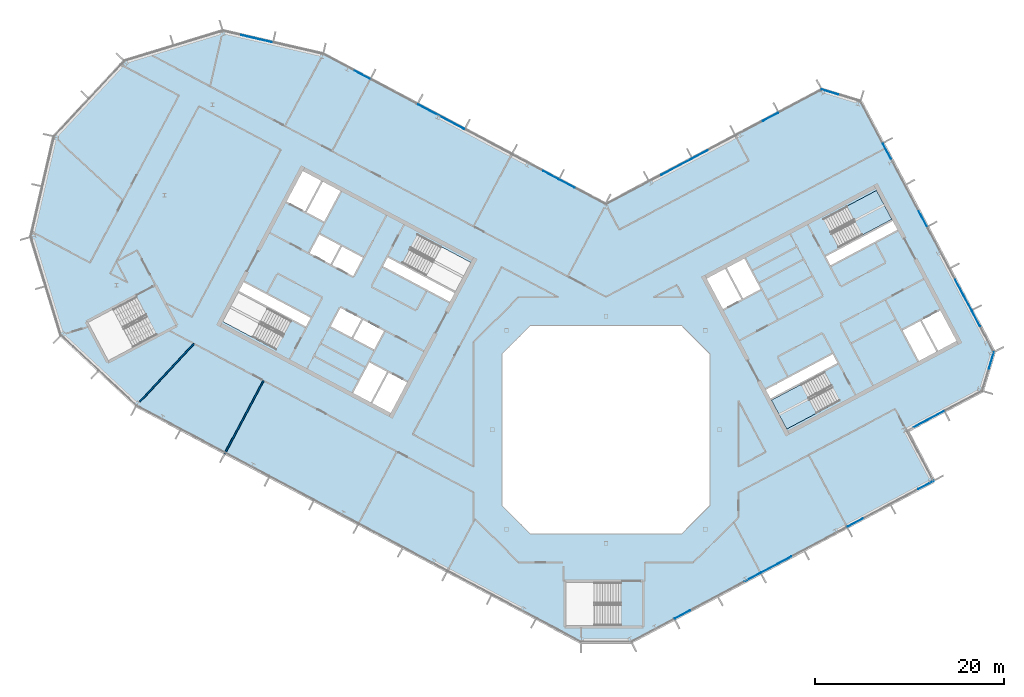
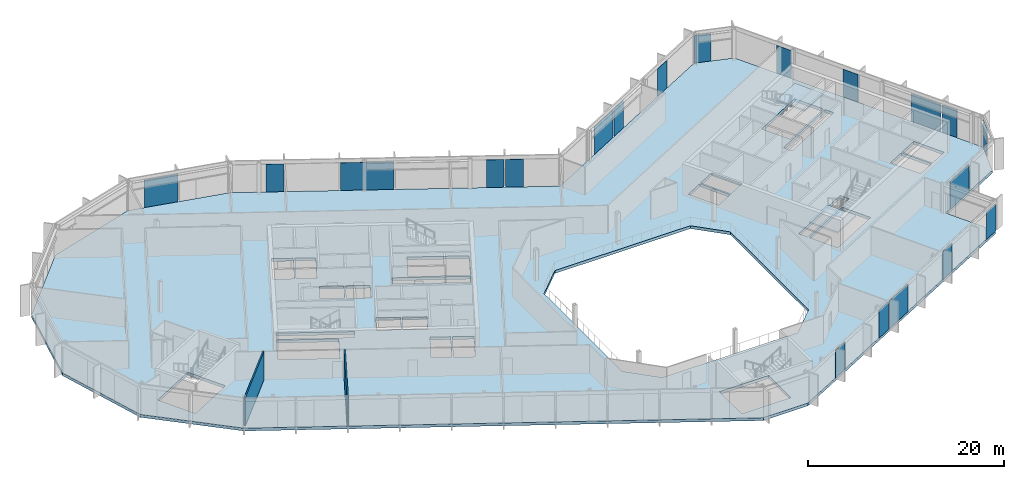
# One storey, part 12 of 26: 20 plates, 3 slabs, 2 walls, 10 elements without a shape of their own.
"""IFC4 building model written with IfcOpenShell, lengths in metres."""

from ifc_helpers import new_model, si_unit, direction, frame, frame_2d, origin, origin_2d, place, context, subcontext, project, spatial, polyline, rectangle, outline, extrude, material, layer, layer_set, type_object, element, aggregate, save


model = new_model("IFC4")

# Units and contexts
model_context = context("Model", 3, precision=1e-05, world=origin(), true_north=direction((0.0, 1.0)))
body_context = subcontext(model_context, "Body", "Model", "MODEL_VIEW")
ifc_project = project(units=[si_unit("LENGTHUNIT", "METRE"), si_unit("AREAUNIT", "SQUARE_METRE"), si_unit("VOLUMEUNIT", "CUBIC_METRE"), si_unit("PLANEANGLEUNIT", "RADIAN"), si_unit("MASSUNIT", "GRAM", prefix="KILO")], contexts=[model_context])

# Site, building, storey
site_placement = place(None, origin())
site = spatial("IfcSite", under=ifc_project, at=site_placement, CompositionType="ELEMENT")
building_placement = place(site_placement, origin())
building = spatial("IfcBuilding", under=site, at=building_placement, Name="Cormorant Relay Tower", CompositionType="ELEMENT")
storey_placement = place(building_placement, frame((0.0, 0.0, 269.699951171875)))
storey = spatial("IfcBuildingStorey", under=building, at=storey_placement, Name="L60", CompositionType="ELEMENT", Elevation=269.699951171875)

# Curtain wall, plates
ifc_material_1 = material(Name="Aluminium 6063-T6 anodised bronze", Category="aluminium")
ifc_layer_1 = layer(ifc_material_1, 0.199951171875)
ifc_layer_set_1 = layer_set([ifc_layer_1], Name="CW1 unitised bronze curtain wall with vertical fins")
curtain_wall_type = type_object("IfcCurtainWallType", Name="CW1 unitised bronze curtain wall with vertical fins", PredefinedType="NOTDEFINED", material=ifc_layer_set_1)
curtain_wall_1_placement = place(storey_placement, origin())
curtain_wall_1 = element("IfcCurtainWall", 1, at=curtain_wall_1_placement, inside=storey, type_object=curtain_wall_type, Name="CW1 curtain wall 2", PredefinedType="NOTDEFINED")
ifc_material_2 = material(Name="Tinted laminated glass", Category="glass")
ifc_layer_2 = layer(ifc_material_2, 0.0400390625)
ifc_layer_set_2 = layer_set([ifc_layer_2], Name="CW1 tinted vision panel 1800 module")
plate_type_1 = type_object("IfcPlateType", Name="CW1 tinted vision panel 1800 module", PredefinedType="CURTAIN_PANEL", material=ifc_layer_set_2)
plate_1_placement = place(storey_placement, frame((8.080810546875, -19.510009765625, 0.0), z_axis=(0.0, 0.0, 1.0), x_axis=(0.882947592859, 0.469471562786, 0.0)))
plate_1 = element("IfcPlate", 2, at=plate_1_placement, type_object=plate_type_1, Name="CW1 panel V01", PredefinedType="CURTAIN_PANEL", context=body_context, shape_type="SweptSolid", body=[
    extrude(rectangle(XDim=1.800048828125, YDim=0.0400390625, at=origin_2d()), origin(), (0.0, 0.0, 1.0), 3.449951171875),
])
plate_2_placement = place(storey_placement, frame((15.48291015625, -15.57421875, 0.0), z_axis=(0.0, 0.0, 1.0), x_axis=(0.882947592859, 0.469471562786, 0.0)))
plate_2 = element("IfcPlate", 3, at=plate_2_placement, type_object=plate_type_1, Name="CW1 panel V03", PredefinedType="CURTAIN_PANEL", context=body_context, shape_type="SweptSolid", body=[
    extrude(rectangle(XDim=1.800048828125, YDim=0.0400390625, at=origin_2d()), origin(), (0.0, 0.0, 1.0), 3.449951171875),
])
plate_3_placement = place(storey_placement, frame((26.328125, -9.8076171875, 0.0), z_axis=(0.0, 0.0, 1.0), x_axis=(0.882947592859, 0.469471562786, 0.0)))
plate_3 = element("IfcPlate", 4, at=plate_3_placement, type_object=plate_type_1, Name="CW1 panel V06", PredefinedType="CURTAIN_PANEL", context=body_context, shape_type="SweptSolid", body=[
    extrude(rectangle(XDim=1.800048828125, YDim=0.0400390625, at=origin_2d()), origin(), (0.0, 0.0, 1.0), 3.449951171875),
])
plate_4_placement = place(storey_placement, frame((33.796142578125, -5.8369140625, 0.0), z_axis=(0.0, 0.0, 1.0), x_axis=(0.882947592859, 0.469471562786, 0.0)))
plate_4 = element("IfcPlate", 5, at=plate_4_placement, type_object=plate_type_1, Name="CW1 panel V08", PredefinedType="CURTAIN_PANEL", context=body_context, shape_type="SweptSolid", body=[
    extrude(rectangle(XDim=1.800048828125, YDim=0.0400390625, at=origin_2d()), origin(), (0.0, 0.0, 1.0), 3.449951171875),
])

# Curtain wall, plate
curtain_wall_2_placement = place(storey_placement, origin())
curtain_wall_2 = element("IfcCurtainWall", 6, at=curtain_wall_2_placement, inside=storey, type_object=curtain_wall_type, Name="CW1 curtain wall 5", PredefinedType="NOTDEFINED")
plate_5_placement = place(storey_placement, frame((40.70751953125, 7.31689453125, 0.0), z_axis=(0.0, 0.0, 1.0), x_axis=(0.292371704723, 0.956304755963, 0.0)))
plate_5 = element("IfcPlate", 7, at=plate_5_placement, type_object=plate_type_1, Name="CW1 panel V01", PredefinedType="CURTAIN_PANEL", context=body_context, shape_type="SweptSolid", body=[
    extrude(rectangle(XDim=1.800048828125, YDim=0.0400390625, at=origin_2d()), origin(), (0.0, 0.0, 1.0), 3.449951171875),
])
aggregate(curtain_wall_2, [plate_5])

# Curtain wall, plates
curtain_wall_3_placement = place(storey_placement, origin())
curtain_wall_3 = element("IfcCurtainWall", 8, at=curtain_wall_3_placement, inside=storey, type_object=curtain_wall_type, Name="CW1 curtain wall 6", PredefinedType="NOTDEFINED")
plate_6_placement = place(storey_placement, frame((39.07958984375, 11.74658203125, 0.0), z_axis=(0.0, 0.0, 1.0), x_axis=(-0.469471562786, 0.882947592859, 0.0)))
plate_6 = element("IfcPlate", 9, at=plate_6_placement, type_object=plate_type_1, Name="CW1 panel V01", PredefinedType="CURTAIN_PANEL", context=body_context, shape_type="SweptSolid", body=[
    extrude(rectangle(XDim=1.800048828125, YDim=0.0400390625, at=origin_2d()), origin(), (0.0, 0.0, 1.0), 3.449951171875),
])
plate_7_placement = place(storey_placement, frame((33.469482421875, 22.298095703125, 0.0), z_axis=(0.0, 0.0, 1.0), x_axis=(-0.469471562786, 0.882947592859, 0.0)))
plate_7 = element("IfcPlate", 10, at=plate_7_placement, type_object=plate_type_1, Name="CW1 panel V04", PredefinedType="CURTAIN_PANEL", context=body_context, shape_type="SweptSolid", body=[
    extrude(rectangle(XDim=1.800048828125, YDim=0.0400390625, at=origin_2d()), origin(), (0.0, 0.0, 1.0), 3.449951171875),
])
plate_8_placement = place(storey_placement, frame((29.690185546875, 29.40576171875, 0.0), z_axis=(0.0, 0.0, 1.0), x_axis=(-0.469471562786, 0.882947592859, 0.0)))
plate_8 = element("IfcPlate", 11, at=plate_8_placement, type_object=plate_type_1, Name="CW1 panel V06", PredefinedType="CURTAIN_PANEL", context=body_context, shape_type="SweptSolid", body=[
    extrude(rectangle(XDim=1.800048828125, YDim=0.0400390625, at=origin_2d()), origin(), (0.0, 0.0, 1.0), 3.449951171875),
])

# Curtain wall, plate
curtain_wall_4_placement = place(storey_placement, origin())
curtain_wall_4 = element("IfcCurtainWall", 12, at=curtain_wall_4_placement, inside=storey, type_object=curtain_wall_type, Name="CW1 curtain wall 7", PredefinedType="NOTDEFINED")
plate_9_placement = place(storey_placement, frame((23.6767578125, 35.668212890625, 0.0), z_axis=(0.0, 0.0, 1.0), x_axis=(-0.956304755963, 0.292371704723, 0.0)))
plate_9 = element("IfcPlate", 13, at=plate_9_placement, type_object=plate_type_1, Name="CW1 panel V01", PredefinedType="CURTAIN_PANEL", context=body_context, shape_type="SweptSolid", body=[
    extrude(rectangle(XDim=1.800048828125, YDim=0.0400390625, at=origin_2d()), origin(), (0.0, 0.0, 1.0), 3.449951171875),
])
aggregate(curtain_wall_4, [plate_9])

# Curtain wall, plates
curtain_wall_5_placement = place(storey_placement, origin())
curtain_wall_5 = element("IfcCurtainWall", 14, at=curtain_wall_5_placement, inside=storey, type_object=curtain_wall_type, Name="CW1 curtain wall 8", PredefinedType="NOTDEFINED")
plate_10_placement = place(storey_placement, frame((17.3779296875, 33.046630859375, 0.0), z_axis=(0.0, 0.0, 1.0), x_axis=(-0.882947592859, -0.469471562786, 0.0)))
plate_10 = element("IfcPlate", 15, at=plate_10_placement, type_object=plate_type_1, Name="CW1 panel V01", PredefinedType="CURTAIN_PANEL", context=body_context, shape_type="SweptSolid", body=[
    extrude(rectangle(XDim=1.800048828125, YDim=0.0400390625, at=origin_2d()), origin(), (0.0, 0.0, 1.0), 3.449951171875),
])
plate_11_placement = place(storey_placement, frame((9.9755859375, 29.110595703125, 0.0), z_axis=(0.0, 0.0, 1.0), x_axis=(-0.882947592859, -0.469471562786, 0.0)))
plate_11 = element("IfcPlate", 16, at=plate_11_placement, type_object=plate_type_1, Name="CW1 panel V03", PredefinedType="CURTAIN_PANEL", context=body_context, shape_type="SweptSolid", body=[
    extrude(rectangle(XDim=1.800048828125, YDim=0.0400390625, at=origin_2d()), origin(), (0.0, 0.0, 1.0), 3.449951171875),
])

curtain_wall_6_placement = place(storey_placement, origin())
curtain_wall_6 = element("IfcCurtainWall", 17, at=curtain_wall_6_placement, inside=storey, type_object=curtain_wall_type, Name="CW1 curtain wall 9", PredefinedType="NOTDEFINED")
plate_12_placement = place(storey_placement, frame((-4.108642578125, 25.9912109375, 0.0), z_axis=(0.0, 0.0, 1.0), x_axis=(-0.882947592859, 0.469471562786, 0.0)))
plate_12 = element("IfcPlate", 18, at=plate_12_placement, type_object=plate_type_1, Name="CW1 panel V01", PredefinedType="CURTAIN_PANEL", context=body_context, shape_type="SweptSolid", body=[
    extrude(rectangle(XDim=1.800048828125, YDim=0.0400390625, at=origin_2d()), origin(), (0.0, 0.0, 1.0), 3.449951171875),
])
plate_13_placement = place(storey_placement, frame((-5.830322265625, 26.90673828125, 0.0), z_axis=(0.0, 0.0, 1.0), x_axis=(-0.882947592859, 0.469471562786, 0.0)))
plate_13 = element("IfcPlate", 19, at=plate_13_placement, type_object=plate_type_1, Name="CW1 panel V02", PredefinedType="CURTAIN_PANEL", context=body_context, shape_type="SweptSolid", body=[
    extrude(rectangle(XDim=1.800048828125, YDim=0.0400390625, at=origin_2d()), origin(), (0.0, 0.0, 1.0), 3.449951171875),
])
plate_14_placement = place(storey_placement, frame((-25.746337890625, 37.49609375, 0.0), z_axis=(0.0, 0.0, 1.0), x_axis=(-0.882947592859, 0.469471562786, 0.0)))
plate_14 = element("IfcPlate", 20, at=plate_14_placement, type_object=plate_type_1, Name="CW1 panel V06", PredefinedType="CURTAIN_PANEL", context=body_context, shape_type="SweptSolid", body=[
    extrude(rectangle(XDim=1.800048828125, YDim=0.0400390625, at=origin_2d()), origin(), (0.0, 0.0, 1.0), 3.449951171875),
])

# Plate
ifc_material_3 = material(Name="Tinted laminated glass", Category="glass")
ifc_layer_3 = layer(ifc_material_3, 0.0400390625)
ifc_layer_set_3 = layer_set([ifc_layer_3], Name="CW1 tinted vision panel 3600 module")
plate_type_2 = type_object("IfcPlateType", Name="CW1 tinted vision panel 3600 module", PredefinedType="CURTAIN_PANEL", material=ifc_layer_set_3)
plate_15_placement = place(storey_placement, frame((17.999267578125, -14.236328125, 0.0), z_axis=(0.0, 0.0, 1.0), x_axis=(0.882947592859, 0.469471562786, 0.0)))
plate_15 = element("IfcPlate", 21, at=plate_15_placement, type_object=plate_type_2, Name="CW1 panel V04", PredefinedType="CURTAIN_PANEL", context=body_context, shape_type="SweptSolid", body=[
    extrude(rectangle(XDim=3.60009765625, YDim=0.0400390625, at=origin_2d()), origin(), (0.0, 0.0, 1.0), 3.449951171875),
])

aggregate(curtain_wall_1, [plate_1, plate_2, plate_15, plate_3, plate_4])

# Curtain wall, plate
curtain_wall_7_placement = place(storey_placement, origin())
curtain_wall_7 = element("IfcCurtainWall", 22, at=curtain_wall_7_placement, inside=storey, type_object=curtain_wall_type, Name="CW1 curtain wall 4", PredefinedType="NOTDEFINED")
plate_16_placement = place(storey_placement, frame((34.091796875, 1.11572265625, 0.0), z_axis=(0.0, 0.0, 1.0), x_axis=(0.882947592859, 0.469471562786, 0.0)))
plate_16 = element("IfcPlate", 23, at=plate_16_placement, type_object=plate_type_2, Name="CW1 panel V01", PredefinedType="CURTAIN_PANEL", context=body_context, shape_type="SweptSolid", body=[
    extrude(rectangle(XDim=3.60009765625, YDim=0.0400390625, at=origin_2d()), origin(), (0.0, 0.0, 1.0), 3.449951171875),
])
aggregate(curtain_wall_7, [plate_16])

# Plate
plate_17_placement = place(storey_placement, frame((37.74169921875, 14.26318359375, 0.0), z_axis=(0.0, 0.0, 1.0), x_axis=(-0.469471562786, 0.882947592859, 0.0)))
plate_17 = element("IfcPlate", 24, at=plate_17_placement, type_object=plate_type_2, Name="CW1 panel V02", PredefinedType="CURTAIN_PANEL", context=body_context, shape_type="SweptSolid", body=[
    extrude(rectangle(XDim=3.60009765625, YDim=0.0400390625, at=origin_2d()), origin(), (0.0, 0.0, 1.0), 3.449951171875),
])

aggregate(curtain_wall_3, [plate_6, plate_17, plate_7, plate_8])

plate_18_placement = place(storey_placement, frame((7.458984375, 27.772705078125, 0.0), z_axis=(0.0, 0.0, 1.0), x_axis=(-0.882947592859, -0.469471562786, 0.0)))
plate_18 = element("IfcPlate", 25, at=plate_18_placement, type_object=plate_type_2, Name="CW1 panel V04", PredefinedType="CURTAIN_PANEL", context=body_context, shape_type="SweptSolid", body=[
    extrude(rectangle(XDim=3.60009765625, YDim=0.0400390625, at=origin_2d()), origin(), (0.0, 0.0, 1.0), 3.449951171875),
])

aggregate(curtain_wall_5, [plate_10, plate_11, plate_18])

# Curtain wall, plate
curtain_wall_8_placement = place(storey_placement, origin())
curtain_wall_8 = element("IfcCurtainWall", 26, at=curtain_wall_8_placement, inside=storey, type_object=curtain_wall_type, Name="CW1 curtain wall 10", PredefinedType="NOTDEFINED")
plate_19_placement = place(storey_placement, frame((-36.9921875, 41.33203125, 0.0), z_axis=(0.0, 0.0, 1.0), x_axis=(-0.974370064785, 0.224951054344, 0.0)))
plate_19 = element("IfcPlate", 27, at=plate_19_placement, type_object=plate_type_2, Name="CW1 panel V02", PredefinedType="CURTAIN_PANEL", context=body_context, shape_type="SweptSolid", body=[
    extrude(rectangle(XDim=3.60009765625, YDim=0.0400390625, at=origin_2d()), origin(), (0.0, 0.0, 1.0), 3.449951171875),
])
aggregate(curtain_wall_8, [plate_19])

# Plate
ifc_material_4 = material(Name="Tinted laminated glass", Category="glass")
ifc_layer_4 = layer(ifc_material_4, 0.0400390625)
ifc_layer_set_4 = layer_set([ifc_layer_4], Name="CW1 tinted vision panel 5400 module")
plate_type_3 = type_object("IfcPlateType", Name="CW1 tinted vision panel 5400 module", PredefinedType="CURTAIN_PANEL", material=ifc_layer_set_4)
plate_20_placement = place(storey_placement, frame((-17.4169921875, 33.0673828125, 0.0), z_axis=(0.0, 0.0, 1.0), x_axis=(-0.882947592859, 0.469471562786, 0.0)))
plate_20 = element("IfcPlate", 28, at=plate_20_placement, type_object=plate_type_3, Name="CW1 panel V04", PredefinedType="CURTAIN_PANEL", context=body_context, shape_type="SweptSolid", body=[
    extrude(rectangle(XDim=5.489013671875, YDim=0.0400390625, at=origin_2d()), origin(), (0.0, 0.0, 1.0), 3.449951171875),
])

aggregate(curtain_wall_6, [plate_12, plate_13, plate_20, plate_14])

# Stair, slab
ifc_material_5 = material(Name="Concrete 40 MPa", Category="concrete")
stair_type = type_object("IfcStairType", Name="Exit stair 1500", PredefinedType="HALF_TURN_STAIR", material=ifc_material_5)
stair_1_placement = place(storey_placement, origin())
stair_1 = element("IfcStair", 29, at=stair_1_placement, inside=storey, type_object=stair_type, Name="L60 Stair", PredefinedType="HALF_TURN_STAIR")
ifc_material_6 = material(Name="Concrete 40 MPa", Category="concrete")
ifc_layer_5 = layer(ifc_material_6, 0.199951171875)
ifc_layer_set_5 = layer_set([ifc_layer_5], Name="Exit stair landing 200")
slab_type_1 = type_object("IfcSlabType", Name="Exit stair landing 200", PredefinedType="LANDING", material=ifc_layer_set_5)
slab_1_placement = place(storey_placement, frame((0.0, 0.0, 1.75)))
slab_1 = element("IfcSlab", 30, at=slab_1_placement, type_object=slab_type_1, Name="B1 landing 1", PredefinedType="LANDING", context=body_context, shape_type="SweptSolid", body=[
    extrude(outline(polyline([(20.614990234375, 4.78857421875), (17.48046875, 3.1220703125), (19.10009765625, 0.075927734375), (22.234619140625, 1.742431640625), (20.614990234375, 4.78857421875)])), origin(), (0.0, 0.0, 1.0), 0.199951171875),
])
aggregate(stair_1, [slab_1])

stair_2_placement = place(storey_placement, origin())
stair_2 = element("IfcStair", 31, at=stair_2_placement, inside=storey, type_object=stair_type, Name="L60 Stair", PredefinedType="HALF_TURN_STAIR")
slab_2_placement = place(storey_placement, frame((0.0, 0.0, 1.75)))
slab_2 = element("IfcSlab", 32, at=slab_2_placement, type_object=slab_type_1, Name="B2 landing 1", PredefinedType="LANDING", context=body_context, shape_type="SweptSolid", body=[
    extrude(outline(polyline([(27.064208984375, 20.562744140625), (30.19873046875, 22.2294921875), (28.5791015625, 25.275634765625), (25.444580078125, 23.60888671875), (27.064208984375, 20.562744140625)])), origin(), (0.0, 0.0, 1.0), 0.199951171875),
])
aggregate(stair_2, [slab_2])

# Slab
ifc_material_7 = material(Name="Concrete 40 MPa", Category="concrete")
ifc_layer_6 = layer(ifc_material_7, 0.360107421875)
ifc_layer_set_6 = layer_set([ifc_layer_6], Name="Flat plate 360")
slab_type_2 = type_object("IfcSlabType", Name="Flat plate 360", PredefinedType="FLOOR", material=ifc_layer_set_6)
slab_3_placement = place(storey_placement, frame((0.0, 0.0, -0.35986328125)))
element("IfcSlab", 33, at=slab_3_placement, inside=storey, type_object=slab_type_2, Name="Floor slab L60", PredefinedType="FLOOR", context=body_context, shape_type="SweptSolid", body=[
    extrude(outline(polyline([(-60.7197265625, 20.393310546875), (-58.2744140625, 30.985107421875), (-50.86083984375, 38.935302734375), (-40.465576171875, 42.11328125), (-29.873779296875, 39.668212890625), (0.0, 23.783935546875), (22.810302734375, 35.912353515625), (26.867431640625, 34.671875), (40.95166015625, 8.18359375), (39.711181640625, 4.126220703125), (31.7646484375, -0.09912109375), (34.581298828125, -5.396728515625), (2.648681640625, -22.37548828125), (-2.648681640625, -22.37548828125), (-49.591552734375, 2.584228515625), (-57.541748046875, 9.997802734375), (-60.7197265625, 20.393310546875)]), holes=[polyline([(11.0, -8.0), (11.0, 8.0), (8.0, 11.0), (-8.0, 11.0), (-11.0, 8.0), (-11.0, -8.0), (-8.0, -11.0), (8.0, -11.0), (11.0, -8.0)]), polyline([(-22.95458984375, 6.03271484375), (-24.668212890625, 2.81005859375), (-22.725830078125, 1.777099609375), (-21.01220703125, 5.0), (-23.04296875, 6.07958984375), (-22.95458984375, 6.03271484375)]), polyline([(-24.985595703125, 7.112548828125), (-26.69921875, 3.889892578125), (-24.844970703125, 2.90380859375), (-23.13134765625, 6.126708984375), (-23.04296875, 6.07958984375), (-24.985595703125, 7.112548828125)]), polyline([(-26.688720703125, 9.660400390625), (-24.481201171875, 8.48681640625), (-23.448486328125, 10.42919921875), (-25.656005859375, 11.602783203125), (-26.688720703125, 9.660400390625)]), polyline([(-49.57861328125, 14.0537109375), (-54.69970703125, 11.330810546875), (-52.563720703125, 7.3134765625), (-47.442626953125, 10.036376953125), (-49.57861328125, 14.0537109375)]), polyline([(-29.07275390625, 10.927978515625), (-26.865234375, 9.75439453125), (-25.83251953125, 11.69677734375), (-28.039794921875, 12.870361328125), (-29.07275390625, 10.927978515625)]), polyline([(-38.847900390625, 14.483154296875), (-40.46728515625, 11.43701171875), (-34.860595703125, 8.455810546875), (-33.240966796875, 11.502197265625), (-38.847900390625, 14.483154296875)]), polyline([(-38.260986328125, 15.5869140625), (-38.75390625, 14.659912109375), (-31.690185546875, 10.904052734375), (-31.197265625, 11.8310546875), (-38.260986328125, 15.5869140625)]), polyline([(-25.670166015625, 18.17919921875), (-27.87744140625, 19.35302734375), (-28.910400390625, 17.410400390625), (-26.702880859375, 16.23681640625), (-25.670166015625, 18.17919921875)]), polyline([(-30.261474609375, 20.62060546875), (-31.294189453125, 18.677978515625), (-29.0869140625, 17.50439453125), (-28.053955078125, 19.447021484375), (-30.261474609375, 20.62060546875)]), polyline([(-31.611572265625, 22.980712890625), (-29.75732421875, 21.99462890625), (-28.043701171875, 25.217529296875), (-29.89794921875, 26.203369140625), (-31.611572265625, 22.980712890625)]), polyline([(-32.01708984375, 27.330078125), (-33.73046875, 24.107421875), (-31.7880859375, 23.074462890625), (-30.074462890625, 26.29736328125), (-32.01708984375, 27.330078125)]), polyline([(-4.199951171875, -16.125), (-4.199951171875, -20.675048828125), (1.60009765625, -20.675048828125), (1.60009765625, -16.125), (-4.199951171875, -16.125)]), polyline([(17.48046875, 3.1220703125), (19.10009765625, 0.07568359375), (24.706787109375, 3.056884765625), (23.087158203125, 6.10302734375), (17.48046875, 3.1220703125)]), polyline([(17.386474609375, 3.298583984375), (24.4501953125, 7.054443359375), (23.957275390625, 7.9814453125), (16.8935546875, 4.2255859375), (17.386474609375, 3.298583984375)]), polyline([(33.197021484375, 11.478515625), (31.3427734375, 10.49267578125), (33.056396484375, 7.27001953125), (34.910400390625, 8.255859375), (33.197021484375, 11.478515625)]), polyline([(33.37353515625, 11.572509765625), (35.087158203125, 8.349609375), (37.029541015625, 9.382568359375), (35.31591796875, 12.605224609375), (33.37353515625, 11.572509765625)]), polyline([(14.3056640625, 13.779052734375), (12.592041015625, 17.001708984375), (10.649658203125, 15.968994140625), (12.36328125, 12.74609375), (14.39404296875, 13.825927734375), (14.3056640625, 13.779052734375)]), polyline([(16.33642578125, 14.85888671875), (14.622802734375, 18.08154296875), (12.768798828125, 17.095703125), (14.482421875, 13.872802734375), (14.39404296875, 13.825927734375), (16.33642578125, 14.85888671875)]), polyline([(-16.481689453125, 13.520263671875), (-15.989013671875, 14.447509765625), (-23.052490234375, 18.203125), (-23.54541015625, 17.276123046875), (-16.481689453125, 13.520263671875)]), polyline([(-15.89501953125, 14.6240234375), (-14.275390625, 17.670166015625), (-19.882080078125, 20.6513671875), (-21.501708984375, 17.605224609375), (-15.89501953125, 14.6240234375)]), polyline([(30.78564453125, 21.125732421875), (30.29248046875, 22.052978515625), (23.22900390625, 18.297119140625), (23.721923828125, 17.3701171875), (30.78564453125, 21.125732421875)]), polyline([(24.592041015625, 19.248291015625), (30.19873046875, 22.2294921875), (28.5791015625, 25.275634765625), (22.972412109375, 22.29443359375), (24.592041015625, 19.248291015625)])]), origin(), (0.0, 0.0, 1.0), 0.35986328125),
])

# Walls
ifc_material_8 = material(Name="Gypsum board partition")
ifc_layer_7 = layer(ifc_material_8, 0.14990234375)
ifc_layer_set_7 = layer_set([ifc_layer_7], Name="Tenant partition 150")
wall_type = type_object("IfcWallType", Name="Tenant partition 150", PredefinedType="PARTITIONING", material=ifc_layer_set_7)
wall_1_placement = place(storey_placement, frame((-43.51904296875, 9.095947265625, 0.0), z_axis=(0.0, 0.0, 1.0), x_axis=(-0.682006444307, -0.731346162856, 0.0)))
element("IfcWall", 34, at=wall_1_placement, inside=storey, type_object=wall_type, Name="wall/L60/part/006", PredefinedType="PARTITIONING", context=body_context, shape_type="SweptSolid", body=[
    extrude(rectangle(XDim=8.4267578125, YDim=0.14990234375, at=frame_2d((4.21337890625, 0.0))), origin(), (0.0, 0.0, 1.0), 3.5400390625),
])
wall_2_placement = place(storey_placement, frame((-36.166015625, 5.18603515625, 0.0), z_axis=(0.0, 0.0, 1.0), x_axis=(-0.469445946219, -0.882961212952, 0.0)))
element("IfcWall", 35, at=wall_2_placement, inside=storey, type_object=wall_type, Name="wall/L60/part/007", PredefinedType="PARTITIONING", context=body_context, shape_type="SweptSolid", body=[
    extrude(rectangle(XDim=8.800048828125, YDim=0.14990234375, at=frame_2d((4.39990234375, 0.0))), origin(), (0.0, 0.0, 1.0), 3.5400390625),
])

save(model, "model.ifc")
